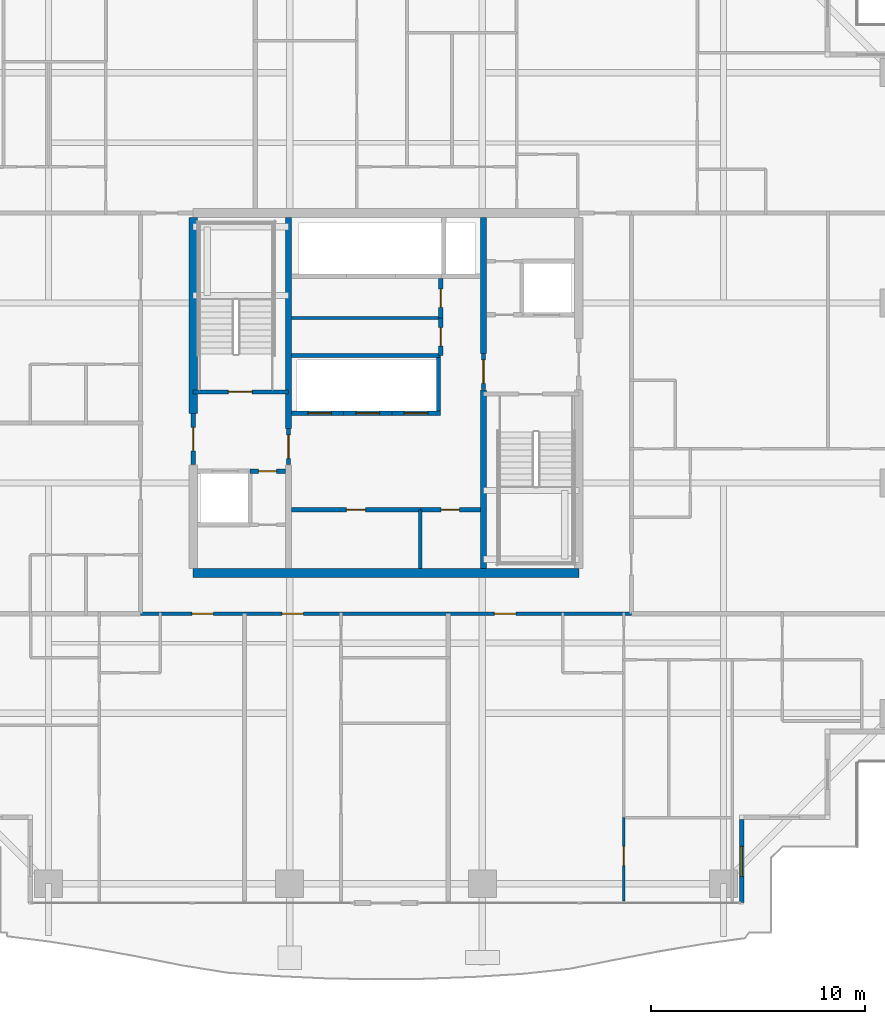
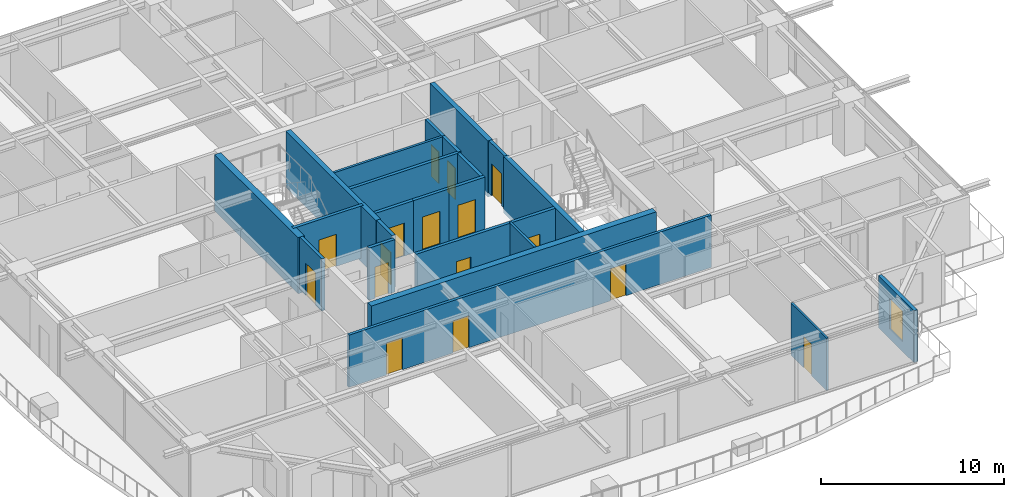
# One storey, part 25 of 35: 24 walls, 16 doors, 1 window, 17 openings.
"""IFC4 building model written with IfcOpenShell, lengths in metres."""

from ifc_helpers import new_model, si_unit, direction, frame, frame_2d, origin, place, context, subcontext, project, spatial, rectangle, extrude, source, transform, mapped, material, layer, layer_set, type_object, element, fill, save


model = new_model("IFC4")

# Units and contexts
model_context = context("Model", 3, precision=1e-05, world=origin(), true_north=direction((0.0, 1.0)))
body_context = subcontext(model_context, "Body", "Model", "MODEL_VIEW")
ifc_project = project(units=[si_unit("LENGTHUNIT", "METRE"), si_unit("AREAUNIT", "SQUARE_METRE"), si_unit("VOLUMEUNIT", "CUBIC_METRE"), si_unit("PLANEANGLEUNIT", "RADIAN"), si_unit("MASSUNIT", "GRAM", prefix="KILO")], contexts=[model_context])

# Site, building, storey
site_placement = place(None, origin())
site = spatial("IfcSite", under=ifc_project, at=site_placement, CompositionType="ELEMENT")
building_placement = place(site_placement, origin())
building = spatial("IfcBuilding", under=site, at=building_placement, Name="Serunith Strait Residences", CompositionType="ELEMENT")
storey_placement = place(building_placement, frame((0.0, 0.0, 172.64990234375)))
storey = spatial("IfcBuildingStorey", under=building, at=storey_placement, Name="L43", CompositionType="ELEMENT", Elevation=172.64990234375)

# Wall, opening, window
ifc_material_1 = material(Name="Pale-Champagne Aluminium Insulated Panel", Category="aluminium")
ifc_layer_1 = layer(ifc_material_1, 0.219970703125, Name="Pale-Champagne Aluminium Insulated Panel")
ifc_layer_set_1 = layer_set([ifc_layer_1], Name="Pale-Champagne Aluminium Insulated Panel")
wall_type_1 = type_object("IfcWallType", Name="EW-ALUM-220", PredefinedType="ELEMENTEDWALL", material=ifc_layer_set_1)
wall_1_placement = place(storey_placement, frame((49.0, 1.39990234375, 0.0), z_axis=(0.0, 0.0, 1.0), x_axis=(0.0, 1.0, 0.0)))
wall_1 = element("IfcWall", 1, at=wall_1_placement, inside=storey, type_object=wall_type_1, Name="L43 Girih Serrated Corner Wall 02", PredefinedType="ELEMENTEDWALL", context=body_context, shape_type="SweptSolid", body=[
    extrude(rectangle(XDim=3.89013671875, YDim=0.219970703125, at=frame_2d((1.945068359375, 0.0))), origin(), (0.0, 0.0, 1.0), 3.47509765625),
])
opening_1_placement = place(wall_1_placement, frame((1.2451171875, 0.0, 0.64990234375)))
opening_1 = element("IfcOpeningElement", 2, at=opening_1_placement, cuts=wall_1, Name="Opening W-03", PredefinedType="OPENING", context=body_context, shape_type="SweptSolid", body=[
    extrude(rectangle(XDim=1.39990234375, YDim=2.050048828125, at=frame_2d((0.699951171875, 1.02490234375))), frame((0.0, 0.1201171875, 0.0), z_axis=(0.0, -1.0, 0.0), x_axis=(1.0, 0.0, 0.0)), (0.0, 0.0, 1.0), 0.239990234375),
])
ifc_material_2 = material(Name="Ceramic-Fritted Operable Aluminium Window Glass", Category="aluminium")
window_type = type_object("IfcWindowType", Name="WIN-C3", PartitioningType="SINGLE_PANEL", PredefinedType="WINDOW", material=ifc_material_2)
shared_shape_1 = source(origin(), body_context, "Body", "SweptSolid", [
    extrude(rectangle(XDim=1.39990234375, YDim=2.050048828125, at=frame_2d((0.699951171875, 1.02490234375))), frame((0.0, 0.030029296875, 0.0), z_axis=(0.0, -1.0, 0.0), x_axis=(1.0, 0.0, 0.0)), (0.0, 0.0, 1.0), 0.06005859375),
])
window_placement = place(opening_1_placement, origin())
window = element("IfcWindow", 3, at=window_placement, inside=storey, type_object=window_type, Name="L43 Corner Operable Fritted Window 02", OverallHeight=2.050048828125, OverallWidth=1.39990234375, PartitioningType="SINGLE_PANEL", PredefinedType="WINDOW", context=body_context, shape_type="MappedRepresentation", body=[
    mapped(shared_shape_1, transform((0.0, 0.0, 0.0), scale=1.0)),
])
fill(opening_1, window)

# Walls
ifc_material_3 = material(Name="Fire-rated masonry service closet wall", Category="masonry")
ifc_layer_2 = layer(ifc_material_3, 0.14990234375, Name="Fire-rated masonry service closet wall")
ifc_layer_set_2 = layer_set([ifc_layer_2], Name="Fire-rated masonry service closet wall")
wall_type_2 = type_object("IfcWallType", Name="IW-BOH-150", PredefinedType="PARTITIONING", material=ifc_layer_set_2)
wall_2_placement = place(storey_placement, frame((28.0, 28.699951171875, 0.0), z_axis=(0.0, 0.0, 1.0), x_axis=(1.0, 0.0, 0.0)))
element("IfcWall", 4, at=wall_2_placement, inside=storey, type_object=wall_type_2, Name="L43 Partition Wall 016", PredefinedType="PARTITIONING", context=body_context, shape_type="SweptSolid", body=[
    extrude(rectangle(XDim=6.949951171875, YDim=0.14990234375, at=frame_2d((3.47509765625, 0.0))), origin(), (0.0, 0.0, 1.0), 3.489990234375),
])
wall_3_placement = place(storey_placement, frame((34.0, 17.02001953125, 0.0), z_axis=(0.0, 0.0, 1.0), x_axis=(0.0, 1.0, 0.0)))
element("IfcWall", 5, at=wall_3_placement, inside=storey, type_object=wall_type_2, Name="L43 Partition Wall 019", PredefinedType="PARTITIONING", context=body_context, shape_type="SweptSolid", body=[
    extrude(rectangle(XDim=2.72998046875, YDim=0.14990234375, at=frame_2d((1.364990234375, 0.0))), origin(), (0.0, 0.0, 1.0), 3.489990234375),
])

# Wall, openings, doors
ifc_material_4 = material(Name="Fire-rated acoustic gypsum partition")
ifc_layer_3 = layer(ifc_material_4, 0.179931640625, Name="Fire-rated acoustic gypsum partition")
ifc_layer_set_3 = layer_set([ifc_layer_3], Name="Fire-rated acoustic gypsum partition")
wall_type_3 = type_object("IfcWallType", Name="IW-CORR-180", PredefinedType="PARTITIONING", material=ifc_layer_set_3)
wall_4_placement = place(storey_placement, frame((20.951904296875, 14.89990234375, 0.0), z_axis=(0.0, 0.0, 1.0), x_axis=(1.0, 0.0, 0.0)))
wall_4 = element("IfcWall", 6, at=wall_4_placement, inside=storey, type_object=wall_type_3, Name="L43 Partition Wall 028", PredefinedType="PARTITIONING", context=body_context, shape_type="SweptSolid", body=[
    extrude(rectangle(XDim=22.89599609375, YDim=0.179931640625, at=frame_2d((11.447998046875, 0.0))), origin(), (0.0, 0.0, 1.0), 3.489990234375),
])
opening_2_placement = place(wall_4_placement, frame((2.386962890625, 0.0, 0.0)))
opening_2 = element("IfcOpeningElement", 7, at=opening_2_placement, cuts=wall_4, Name="Opening D-APT1000", PredefinedType="OPENING", context=body_context, shape_type="SweptSolid", body=[
    extrude(rectangle(XDim=1.0, YDim=2.14990234375, at=frame_2d((0.5, 1.074951171875))), frame((0.0, 0.10009765625, 0.0), z_axis=(0.0, -1.0, 0.0), x_axis=(1.0, 0.0, 0.0)), (0.0, 0.0, 1.0), 0.199951171875),
])
opening_3_placement = place(wall_4_placement, frame((6.591064453125, 0.0, 0.0)))
opening_3 = element("IfcOpeningElement", 8, at=opening_3_placement, cuts=wall_4, Name="Opening D-APT1000", PredefinedType="OPENING", context=body_context, shape_type="SweptSolid", body=[
    extrude(rectangle(XDim=1.0, YDim=2.14990234375, at=frame_2d((0.5, 1.074951171875))), frame((0.0, 0.10009765625, 0.0), z_axis=(0.0, -1.0, 0.0), x_axis=(1.0, 0.0, 0.0)), (0.0, 0.0, 1.0), 0.199951171875),
])
opening_4_placement = place(wall_4_placement, frame((16.510009765625, 0.0, 0.0)))
opening_4 = element("IfcOpeningElement", 9, at=opening_4_placement, cuts=wall_4, Name="Opening D-APT1000", PredefinedType="OPENING", context=body_context, shape_type="SweptSolid", body=[
    extrude(rectangle(XDim=1.0, YDim=2.14990234375, at=frame_2d((0.5, 1.074951171875))), frame((0.0, 0.10009765625, 0.0), z_axis=(0.0, -1.0, 0.0), x_axis=(1.0, 0.0, 0.0)), (0.0, 0.0, 1.0), 0.199951171875),
])
ifc_material_5 = material(Name="Solid timber engineered fire door", Category="wood")
door_type_1 = type_object("IfcDoorType", Name="ID-APT-1000", OperationType="NOTDEFINED", PredefinedType="DOOR", material=ifc_material_5)
shared_shape_2 = source(origin(), body_context, "Body", "SweptSolid", [
    extrude(rectangle(XDim=1.0, YDim=2.14990234375, at=frame_2d((0.5, 1.074951171875))), frame((0.0, 0.02490234375, 0.0), z_axis=(0.0, -1.0, 0.0), x_axis=(1.0, 0.0, 0.0)), (0.0, 0.0, 1.0), 0.050048828125),
])
door_1_placement = place(opening_2_placement, origin())
door_1 = element("IfcDoor", 10, at=door_1_placement, inside=storey, type_object=door_type_1, Name="L43 Unit 01 Entrance Door", OperationType="SINGLE_SWING_LEFT", OverallHeight=2.14990234375, OverallWidth=1.0, PredefinedType="DOOR", context=body_context, shape_type="MappedRepresentation", body=[
    mapped(shared_shape_2, transform((0.0, 0.0, 0.0), scale=1.0)),
])
fill(opening_2, door_1)
door_2_placement = place(opening_3_placement, origin())
door_2 = element("IfcDoor", 11, at=door_2_placement, inside=storey, type_object=door_type_1, Name="L43 Unit 02 Entrance Door", OperationType="SINGLE_SWING_RIGHT", OverallHeight=2.14990234375, OverallWidth=1.0, PredefinedType="DOOR", context=body_context, shape_type="MappedRepresentation", body=[
    mapped(shared_shape_2, transform((0.0, 0.0, 0.0), scale=1.0)),
])
fill(opening_3, door_2)
door_3_placement = place(opening_4_placement, origin())
door_3 = element("IfcDoor", 12, at=door_3_placement, inside=storey, type_object=door_type_1, Name="L43 Unit 03 Entrance Door", OperationType="SINGLE_SWING_LEFT", OverallHeight=2.14990234375, OverallWidth=1.0, PredefinedType="DOOR", context=body_context, shape_type="MappedRepresentation", body=[
    mapped(shared_shape_2, transform((0.0, 0.0, 0.0), scale=1.0)),
])
fill(opening_4, door_3)

# Wall, opening, door
ifc_material_6 = material(Name="Lightweight steel-stud gypsum partition", Category="steel")
ifc_layer_4 = layer(ifc_material_6, 0.1201171875, Name="Lightweight steel-stud gypsum partition")
ifc_layer_set_4 = layer_set([ifc_layer_4], Name="Lightweight steel-stud gypsum partition")
wall_type_4 = type_object("IfcWallType", Name="IW-PART-120", PredefinedType="PARTITIONING", material=ifc_layer_set_4)
wall_5_placement = place(storey_placement, frame((43.489990234375, 1.4951171875, 0.0), z_axis=(0.0, 0.0, 1.0), x_axis=(0.0, 1.0, 0.0)))
wall_5 = element("IfcWall", 13, at=wall_5_placement, inside=storey, type_object=wall_type_4, Name="L43 Partition Wall 049", PredefinedType="PARTITIONING", context=body_context, shape_type="SweptSolid", body=[
    extrude(rectangle(XDim=3.890869140625, YDim=0.1201171875, at=frame_2d((1.9453125, 0.0))), origin(), (0.0, 0.0, 1.0), 3.489990234375),
])
opening_5_placement = place(wall_5_placement, frame((1.64501953125, 0.0, 0.0)))
opening_5 = element("IfcOpeningElement", 14, at=opening_5_placement, cuts=wall_5, Name="Opening D-RM900", PredefinedType="OPENING", context=body_context, shape_type="SweptSolid", body=[
    extrude(rectangle(XDim=0.89990234375, YDim=2.10009765625, at=frame_2d((0.449951171875, 1.050048828125))), frame((0.0, 0.070068359375, 0.0), z_axis=(0.0, -1.0, 0.0), x_axis=(1.0, 0.0, 0.0)), (0.0, 0.0, 1.0), 0.14013671875),
])
ifc_material_7 = material(Name="Engineered timber flush bedroom door", Category="wood")
door_type_2 = type_object("IfcDoorType", Name="ID-ROOM-900", OperationType="NOTDEFINED", PredefinedType="DOOR", material=ifc_material_7)
shared_shape_3 = source(origin(), body_context, "Body", "SweptSolid", [
    extrude(rectangle(XDim=0.89990234375, YDim=2.10009765625, at=frame_2d((0.449951171875, 1.050048828125))), frame((0.0, 0.02490234375, 0.0), z_axis=(0.0, -1.0, 0.0), x_axis=(1.0, 0.0, 0.0)), (0.0, 0.0, 1.0), 0.050048828125),
])
door_4_placement = place(opening_5_placement, origin())
door_4 = element("IfcDoor", 15, at=door_4_placement, inside=storey, type_object=door_type_2, Name="L43 Study 1 4303 Door", OperationType="SINGLE_SWING_RIGHT", OverallHeight=2.10009765625, OverallWidth=0.89990234375, PredefinedType="DOOR", context=body_context, shape_type="MappedRepresentation", body=[
    mapped(shared_shape_3, transform((0.0, 0.0, 0.0), scale=1.0)),
])
fill(opening_5, door_4)

ifc_material_8 = material(Name="Autoclaved aerated concrete blockwork", Category="masonry")
ifc_layer_5 = layer(ifc_material_8, 0.199951171875, Name="Autoclaved aerated concrete blockwork")
ifc_layer_set_5 = layer_set([ifc_layer_5], Name="Autoclaved aerated concrete blockwork")
wall_type_5 = type_object("IfcWallType", Name="IW-SHAFT-200", PredefinedType="STANDARD", material=ifc_layer_set_5)
wall_6_placement = place(storey_placement, frame((23.39990234375, 25.25, 0.0), z_axis=(0.0, 0.0, 1.0), x_axis=(1.0, 0.0, 0.0)))
wall_6 = element("IfcWall", 16, at=wall_6_placement, inside=storey, type_object=wall_type_5, Name="L43 ST-1 South Shaft Wall", PredefinedType="STANDARD", context=body_context, shape_type="SweptSolid", body=[
    extrude(rectangle(XDim=4.4501953125, YDim=0.199951171875, at=frame_2d((2.22509765625, 0.0))), origin(), (0.0, 0.0, 1.0), 3.489990234375),
])
opening_6_placement = place(wall_6_placement, frame((1.64990234375, 0.0, 0.0)))
opening_6 = element("IfcOpeningElement", 17, at=opening_6_placement, cuts=wall_6, Name="Opening FD-1100", PredefinedType="OPENING", context=body_context, shape_type="SweptSolid", body=[
    extrude(rectangle(XDim=1.10009765625, YDim=2.14990234375, at=frame_2d((0.550048828125, 1.074951171875))), frame((0.0, 0.10986328125, 0.0), z_axis=(0.0, -1.0, 0.0), x_axis=(1.0, 0.0, 0.0)), (0.0, 0.0, 1.0), 0.219970703125),
])
ifc_material_9 = material(Name="Galvanised steel fire door leaf", Category="steel")
door_type_3 = type_object("IfcDoorType", Name="FD-STAIR-1100", OperationType="NOTDEFINED", PredefinedType="DOOR", material=ifc_material_9)
shared_shape_4 = source(origin(), body_context, "Body", "SweptSolid", [
    extrude(rectangle(XDim=1.10009765625, YDim=2.14990234375, at=frame_2d((0.550048828125, 1.074951171875))), frame((0.0, 0.02490234375, 0.0), z_axis=(0.0, -1.0, 0.0), x_axis=(1.0, 0.0, 0.0)), (0.0, 0.0, 1.0), 0.050048828125),
])
door_5_placement = place(opening_6_placement, origin())
door_5 = element("IfcDoor", 18, at=door_5_placement, inside=storey, type_object=door_type_3, Name="L43 ST-1 Escape Stair Door", OperationType="SINGLE_SWING_LEFT", OverallHeight=2.14990234375, OverallWidth=1.10009765625, PredefinedType="DOOR", context=body_context, shape_type="MappedRepresentation", body=[
    mapped(shared_shape_4, transform((0.0, 0.0, 0.0), scale=1.0)),
])
fill(opening_6, door_5)

wall_7_placement = place(storey_placement, frame((28.0, 24.25, 0.0), z_axis=(0.0, 0.0, 1.0), x_axis=(1.0, 0.0, 0.0)))
wall_7 = element("IfcWall", 19, at=wall_7_placement, inside=storey, type_object=wall_type_5, Name="L43 PL-4 South Shaft Wall", PredefinedType="STANDARD", context=body_context, shape_type="SweptSolid", body=[
    extrude(rectangle(XDim=2.425048828125, YDim=0.199951171875, at=frame_2d((1.21240234375, 0.0))), origin(), (0.0, 0.0, 1.0), 3.489990234375),
])
opening_7_placement = place(wall_7_placement, frame((0.75, 0.0, 0.0)))
opening_7 = element("IfcOpeningElement", 20, at=opening_7_placement, cuts=wall_7, Name="Opening LD-1100", PredefinedType="OPENING", context=body_context, shape_type="SweptSolid", body=[
    extrude(rectangle(XDim=1.10009765625, YDim=2.199951171875, at=frame_2d((0.550048828125, 1.10009765625))), frame((0.0, 0.10986328125, 0.0), z_axis=(0.0, -1.0, 0.0), x_axis=(1.0, 0.0, 0.0)), (0.0, 0.0, 1.0), 0.219970703125),
])
ifc_material_10 = material(Name="Pale-champagne stainless landing door")
door_type_4 = type_object("IfcDoorType", Name="LD-LIFT-1100", OperationType="DOUBLE_DOOR_SLIDING", PredefinedType="DOOR", material=ifc_material_10)
shared_shape_5 = source(origin(), body_context, "Body", "SweptSolid", [
    extrude(rectangle(XDim=1.10009765625, YDim=2.199951171875, at=frame_2d((0.550048828125, 1.10009765625))), frame((0.0, 0.02490234375, 0.0), z_axis=(0.0, -1.0, 0.0), x_axis=(1.0, 0.0, 0.0)), (0.0, 0.0, 1.0), 0.050048828125),
])
door_6_placement = place(opening_7_placement, origin())
door_6 = element("IfcDoor", 21, at=door_6_placement, inside=storey, type_object=door_type_4, Name="L43 PL-4 Landing Door", OperationType="DOUBLE_DOOR_SLIDING", OverallHeight=2.199951171875, OverallWidth=1.10009765625, PredefinedType="DOOR", context=body_context, shape_type="MappedRepresentation", body=[
    mapped(shared_shape_5, transform((0.0, 0.0, 0.0), scale=1.0)),
])
fill(opening_7, door_6)

wall_8_placement = place(storey_placement, frame((30.425048828125, 24.25, 0.0), z_axis=(0.0, 0.0, 1.0), x_axis=(1.0, 0.0, 0.0)))
wall_8 = element("IfcWall", 22, at=wall_8_placement, inside=storey, type_object=wall_type_5, Name="L43 PL-5 South Shaft Wall", PredefinedType="STANDARD", context=body_context, shape_type="SweptSolid", body=[
    extrude(rectangle(XDim=2.25, YDim=0.199951171875, at=frame_2d((1.125, 0.0))), origin(), (0.0, 0.0, 1.0), 3.489990234375),
])
opening_8_placement = place(wall_8_placement, frame((0.574951171875, 0.0, 0.0)))
opening_8 = element("IfcOpeningElement", 23, at=opening_8_placement, cuts=wall_8, Name="Opening LD-1100", PredefinedType="OPENING", context=body_context, shape_type="SweptSolid", body=[
    extrude(rectangle(XDim=1.10009765625, YDim=2.199951171875, at=frame_2d((0.550048828125, 1.10009765625))), frame((0.0, 0.10986328125, 0.0), z_axis=(0.0, -1.0, 0.0), x_axis=(1.0, 0.0, 0.0)), (0.0, 0.0, 1.0), 0.219970703125),
])
door_7_placement = place(opening_8_placement, origin())
door_7 = element("IfcDoor", 24, at=door_7_placement, inside=storey, type_object=door_type_4, Name="L43 PL-5 Landing Door", OperationType="DOUBLE_DOOR_SLIDING", OverallHeight=2.199951171875, OverallWidth=1.10009765625, PredefinedType="DOOR", context=body_context, shape_type="MappedRepresentation", body=[
    mapped(shared_shape_5, transform((0.0, 0.0, 0.0), scale=1.0)),
])
fill(opening_8, door_7)

wall_9_placement = place(storey_placement, frame((32.675048828125, 24.25, 0.0), z_axis=(0.0, 0.0, 1.0), x_axis=(1.0, 0.0, 0.0)))
wall_9 = element("IfcWall", 25, at=wall_9_placement, inside=storey, type_object=wall_type_5, Name="L43 PL-6 South Shaft Wall", PredefinedType="STANDARD", context=body_context, shape_type="SweptSolid", body=[
    extrude(rectangle(XDim=2.27490234375, YDim=0.199951171875, at=frame_2d((1.137451171875, 0.0))), origin(), (0.0, 0.0, 1.0), 3.489990234375),
])
opening_9_placement = place(wall_9_placement, frame((0.574951171875, 0.0, 0.0)))
opening_9 = element("IfcOpeningElement", 26, at=opening_9_placement, cuts=wall_9, Name="Opening LD-1100", PredefinedType="OPENING", context=body_context, shape_type="SweptSolid", body=[
    extrude(rectangle(XDim=1.10009765625, YDim=2.199951171875, at=frame_2d((0.550048828125, 1.10009765625))), frame((0.0, 0.10986328125, 0.0), z_axis=(0.0, -1.0, 0.0), x_axis=(1.0, 0.0, 0.0)), (0.0, 0.0, 1.0), 0.219970703125),
])
door_8_placement = place(opening_9_placement, origin())
door_8 = element("IfcDoor", 27, at=door_8_placement, inside=storey, type_object=door_type_4, Name="L43 PL-6 Landing Door", OperationType="DOUBLE_DOOR_SLIDING", OverallHeight=2.199951171875, OverallWidth=1.10009765625, PredefinedType="DOOR", context=body_context, shape_type="MappedRepresentation", body=[
    mapped(shared_shape_5, transform((0.0, 0.0, 0.0), scale=1.0)),
])
fill(opening_9, door_8)

# Wall
wall_10_placement = place(storey_placement, frame((34.85009765625, 24.35009765625, 0.0), z_axis=(0.0, 0.0, 1.0), x_axis=(0.0, 1.0, 0.0)))
element("IfcWall", 28, at=wall_10_placement, inside=storey, type_object=wall_type_5, Name="L43 PL-6 East Shaft Wall", PredefinedType="STANDARD", context=body_context, shape_type="SweptSolid", body=[
    extrude(rectangle(XDim=2.5, YDim=0.199951171875, at=frame_2d((1.25, 0.0))), origin(), (0.0, 0.0, 1.0), 3.489990234375),
])

# Wall, opening, door
wall_11_placement = place(storey_placement, frame((26.052001953125, 21.550048828125, 0.0), z_axis=(0.0, 0.0, 1.0), x_axis=(1.0, 0.0, 0.0)))
wall_11 = element("IfcWall", 29, at=wall_11_placement, inside=storey, type_object=wall_type_5, Name="L43 Partition Wall 003", PredefinedType="STANDARD", context=body_context, shape_type="SweptSolid", body=[
    extrude(rectangle(XDim=1.64794921875, YDim=0.199951171875, at=frame_2d((0.823974609375, 0.0))), origin(), (0.0, 0.0, 1.0), 3.489990234375),
])
opening_10_placement = place(wall_11_placement, frame((0.39892578125, 0.0, 0.0)))
opening_10 = element("IfcOpeningElement", 30, at=opening_10_placement, cuts=wall_11, Name="Opening FD-850", PredefinedType="OPENING", context=body_context, shape_type="SweptSolid", body=[
    extrude(rectangle(XDim=0.85009765625, YDim=2.10009765625, at=frame_2d((0.425048828125, 1.050048828125))), frame((0.0, 0.10986328125, 0.0), z_axis=(0.0, -1.0, 0.0), x_axis=(1.0, 0.0, 0.0)), (0.0, 0.0, 1.0), 0.219970703125),
])
ifc_material_11 = material(Name="Powder-coated steel service closet door", Category="steel")
door_type_5 = type_object("IfcDoorType", Name="FD-BOH-850", OperationType="NOTDEFINED", PredefinedType="DOOR", material=ifc_material_11)
shared_shape_6 = source(origin(), body_context, "Body", "SweptSolid", [
    extrude(rectangle(XDim=0.85009765625, YDim=2.10009765625, at=frame_2d((0.425048828125, 1.050048828125))), frame((0.0, 0.02490234375, 0.0), z_axis=(0.0, -1.0, 0.0), x_axis=(1.0, 0.0, 0.0)), (0.0, 0.0, 1.0), 0.050048828125),
])
door_9_placement = place(opening_10_placement, origin())
door_9 = element("IfcDoor", 31, at=door_9_placement, inside=storey, type_object=door_type_5, Name="L43 South-West Core Service Door", OperationType="SINGLE_SWING_LEFT", OverallHeight=2.10009765625, OverallWidth=0.85009765625, PredefinedType="DOOR", context=body_context, shape_type="MappedRepresentation", body=[
    mapped(shared_shape_6, transform((0.0, 0.0, 0.0), scale=1.0)),
])
fill(opening_10, door_9)

wall_12_placement = place(storey_placement, frame((23.39990234375, 21.85205078125, 0.0), z_axis=(0.0, 0.0, 1.0), x_axis=(0.0, 1.0, 0.0)))
wall_12 = element("IfcWall", 32, at=wall_12_placement, inside=storey, type_object=wall_type_5, Name="L43 Partition Wall 007", PredefinedType="STANDARD", context=body_context, shape_type="SweptSolid", body=[
    extrude(rectangle(XDim=2.39599609375, YDim=0.199951171875, at=frame_2d((1.197998046875, 0.0))), origin(), (0.0, 0.0, 1.0), 3.489990234375),
])
opening_11_placement = place(wall_12_placement, frame((0.64794921875, 0.0, 0.0)))
opening_11 = element("IfcOpeningElement", 33, at=opening_11_placement, cuts=wall_12, Name="Opening FD-FFL", PredefinedType="OPENING", context=body_context, shape_type="SweptSolid", body=[
    extrude(rectangle(XDim=1.10009765625, YDim=2.14990234375, at=frame_2d((0.550048828125, 1.074951171875))), frame((0.0, 0.10986328125, 0.0), z_axis=(0.0, -1.0, 0.0), x_axis=(1.0, 0.0, 0.0)), (0.0, 0.0, 1.0), 0.219970703125),
])
ifc_material_12 = material(Name="Glazed steel smoke-lobby fire door", Category="steel")
door_type_6 = type_object("IfcDoorType", Name="FD-FFL-1100", OperationType="NOTDEFINED", PredefinedType="DOOR", material=ifc_material_12)
door_10_placement = place(opening_11_placement, origin())
door_10 = element("IfcDoor", 34, at=door_10_placement, inside=storey, type_object=door_type_6, Name="L43 FFL-1 Corridor Fire Door", OperationType="SINGLE_SWING_LEFT", OverallHeight=2.14990234375, OverallWidth=1.10009765625, PredefinedType="DOOR", context=body_context, shape_type="MappedRepresentation", body=[
    mapped(shared_shape_4, transform((0.0, 0.0, 0.0), scale=1.0)),
])
fill(opening_11, door_10)

wall_13_placement = place(storey_placement, frame((27.85009765625, 21.85205078125, 0.0), z_axis=(0.0, 0.0, 1.0), x_axis=(0.0, 1.0, 0.0)))
wall_13 = element("IfcWall", 35, at=wall_13_placement, inside=storey, type_object=wall_type_5, Name="L43 Partition Wall 009", PredefinedType="STANDARD", context=body_context, shape_type="SweptSolid", body=[
    extrude(rectangle(XDim=1.696044921875, YDim=0.199951171875, at=frame_2d((0.84814453125, 0.0))), origin(), (0.0, 0.0, 1.0), 3.489990234375),
])
opening_12_placement = place(wall_13_placement, frame((0.298095703125, 0.0, 0.0)))
opening_12 = element("IfcOpeningElement", 36, at=opening_12_placement, cuts=wall_13, Name="Opening FD-FFL", PredefinedType="OPENING", context=body_context, shape_type="SweptSolid", body=[
    extrude(rectangle(XDim=1.10009765625, YDim=2.14990234375, at=frame_2d((0.550048828125, 1.074951171875))), frame((0.0, 0.10986328125, 0.0), z_axis=(0.0, -1.0, 0.0), x_axis=(1.0, 0.0, 0.0)), (0.0, 0.0, 1.0), 0.219970703125),
])
door_11_placement = place(opening_12_placement, origin())
door_11 = element("IfcDoor", 37, at=door_11_placement, inside=storey, type_object=door_type_6, Name="L43 FFL-1 Lift Lobby Door", OperationType="SINGLE_SWING_LEFT", OverallHeight=2.14990234375, OverallWidth=1.10009765625, PredefinedType="DOOR", context=body_context, shape_type="MappedRepresentation", body=[
    mapped(shared_shape_4, transform((0.0, 0.0, 0.0), scale=1.0)),
])
fill(opening_12, door_11)

wall_14_placement = place(storey_placement, frame((36.949951171875, 25.35205078125, 0.0), z_axis=(0.0, 0.0, 1.0), x_axis=(0.0, 1.0, 0.0)))
wall_14 = element("IfcWall", 38, at=wall_14_placement, inside=storey, type_object=wall_type_5, Name="L43 Partition Wall 010", PredefinedType="STANDARD", context=body_context, shape_type="SweptSolid", body=[
    extrude(rectangle(XDim=1.696044921875, YDim=0.199951171875, at=frame_2d((0.84814453125, 0.0))), origin(), (0.0, 0.0, 1.0), 3.489990234375),
])
opening_13_placement = place(wall_14_placement, frame((0.298095703125, 0.0, 0.0)))
opening_13 = element("IfcOpeningElement", 39, at=opening_13_placement, cuts=wall_14, Name="Opening FD-FFL", PredefinedType="OPENING", context=body_context, shape_type="SweptSolid", body=[
    extrude(rectangle(XDim=1.10009765625, YDim=2.14990234375, at=frame_2d((0.550048828125, 1.074951171875))), frame((0.0, 0.10986328125, 0.0), z_axis=(0.0, -1.0, 0.0), x_axis=(1.0, 0.0, 0.0)), (0.0, 0.0, 1.0), 0.219970703125),
])
door_12_placement = place(opening_13_placement, origin())
door_12 = element("IfcDoor", 40, at=door_12_placement, inside=storey, type_object=door_type_6, Name="L43 FFL-2 Lift Lobby Door", OperationType="SINGLE_SWING_RIGHT", OverallHeight=2.14990234375, OverallWidth=1.10009765625, PredefinedType="DOOR", context=body_context, shape_type="MappedRepresentation", body=[
    mapped(shared_shape_4, transform((0.0, 0.0, 0.0), scale=1.0)),
])
fill(opening_13, door_12)

# Wall
wall_15_placement = place(storey_placement, frame((28.0, 26.949951171875, 0.0), z_axis=(0.0, 0.0, 1.0), x_axis=(1.0, 0.0, 0.0)))
element("IfcWall", 41, at=wall_15_placement, inside=storey, type_object=wall_type_5, Name="L43 Partition Wall 011", PredefinedType="STANDARD", context=body_context, shape_type="SweptSolid", body=[
    extrude(rectangle(XDim=6.949951171875, YDim=0.199951171875, at=frame_2d((3.47509765625, 0.0))), origin(), (0.0, 0.0, 1.0), 3.489990234375),
])

# Wall, opening, door
wall_16_placement = place(storey_placement, frame((34.949951171875, 26.949951171875, 0.0), z_axis=(0.0, 0.0, 1.0), x_axis=(0.0, 1.0, 0.0)))
wall_16 = element("IfcWall", 42, at=wall_16_placement, inside=storey, type_object=wall_type_5, Name="L43 Partition Wall 014", PredefinedType="STANDARD", context=body_context, shape_type="SweptSolid", body=[
    extrude(rectangle(XDim=1.75, YDim=0.199951171875, at=frame_2d((0.875, 0.0))), origin(), (0.0, 0.0, 1.0), 3.489990234375),
])
opening_14_placement = place(wall_16_placement, frame((0.449951171875, 0.0, 0.0)))
opening_14 = element("IfcOpeningElement", 43, at=opening_14_placement, cuts=wall_16, Name="Opening FD-850", PredefinedType="OPENING", context=body_context, shape_type="SweptSolid", body=[
    extrude(rectangle(XDim=0.85009765625, YDim=2.10009765625, at=frame_2d((0.425048828125, 1.050048828125))), frame((0.0, 0.10986328125, 0.0), z_axis=(0.0, -1.0, 0.0), x_axis=(1.0, 0.0, 0.0)), (0.0, 0.0, 1.0), 0.219970703125),
])
door_13_placement = place(opening_14_placement, origin())
door_13 = element("IfcDoor", 44, at=door_13_placement, inside=storey, type_object=door_type_5, Name="L43 Chilled Water Pump Door", OperationType="SINGLE_SWING_LEFT", OverallHeight=2.10009765625, OverallWidth=0.85009765625, PredefinedType="DOOR", context=body_context, shape_type="MappedRepresentation", body=[
    mapped(shared_shape_6, transform((0.0, 0.0, 0.0), scale=1.0)),
])
fill(opening_14, door_13)

wall_17_placement = place(storey_placement, frame((34.949951171875, 28.701904296875, 0.0), z_axis=(0.0, 0.0, 1.0), x_axis=(0.0, 1.0, 0.0)))
wall_17 = element("IfcWall", 45, at=wall_17_placement, inside=storey, type_object=wall_type_5, Name="L43 Partition Wall 015", PredefinedType="STANDARD", context=body_context, shape_type="SweptSolid", body=[
    extrude(rectangle(XDim=1.84814453125, YDim=0.199951171875, at=frame_2d((0.924072265625, 0.0))), origin(), (0.0, 0.0, 1.0), 3.489990234375),
])
opening_15_placement = place(wall_17_placement, frame((0.4990234375, 0.0, 0.0)))
opening_15 = element("IfcOpeningElement", 46, at=opening_15_placement, cuts=wall_17, Name="Opening FD-850", PredefinedType="OPENING", context=body_context, shape_type="SweptSolid", body=[
    extrude(rectangle(XDim=0.85009765625, YDim=2.10009765625, at=frame_2d((0.425048828125, 1.050048828125))), frame((0.0, 0.10986328125, 0.0), z_axis=(0.0, -1.0, 0.0), x_axis=(1.0, 0.0, 0.0)), (0.0, 0.0, 1.0), 0.219970703125),
])
door_14_placement = place(opening_15_placement, origin())
door_14 = element("IfcDoor", 47, at=door_14_placement, inside=storey, type_object=door_type_5, Name="L43 Smoke Control Fan Door", OperationType="SINGLE_SWING_RIGHT", OverallHeight=2.10009765625, OverallWidth=0.85009765625, PredefinedType="DOOR", context=body_context, shape_type="MappedRepresentation", body=[
    mapped(shared_shape_6, transform((0.0, 0.0, 0.0), scale=1.0)),
])
fill(opening_15, door_14)

wall_18_placement = place(storey_placement, frame((28.0, 19.75, 0.0), z_axis=(0.0, 0.0, 1.0), x_axis=(1.0, 0.0, 0.0)))
wall_18 = element("IfcWall", 48, at=wall_18_placement, inside=storey, type_object=wall_type_5, Name="L43 Partition Wall 017", PredefinedType="STANDARD", context=body_context, shape_type="SweptSolid", body=[
    extrude(rectangle(XDim=6.0, YDim=0.199951171875, at=frame_2d((3.0, 0.0))), origin(), (0.0, 0.0, 1.0), 3.489990234375),
])
opening_16_placement = place(wall_18_placement, frame((2.550048828125, 0.0, 0.0)))
opening_16 = element("IfcOpeningElement", 49, at=opening_16_placement, cuts=wall_18, Name="Opening FD-900", PredefinedType="OPENING", context=body_context, shape_type="SweptSolid", body=[
    extrude(rectangle(XDim=0.89990234375, YDim=2.10009765625, at=frame_2d((0.449951171875, 1.050048828125))), frame((0.0, 0.10986328125, 0.0), z_axis=(0.0, -1.0, 0.0), x_axis=(1.0, 0.0, 0.0)), (0.0, 0.0, 1.0), 0.219970703125),
])
ifc_material_13 = material(Name="Powder-coated steel riser door", Category="steel")
door_type_7 = type_object("IfcDoorType", Name="FD-BOH-900", OperationType="NOTDEFINED", PredefinedType="DOOR", material=ifc_material_13)
door_15_placement = place(opening_16_placement, origin())
door_15 = element("IfcDoor", 50, at=door_15_placement, inside=storey, type_object=door_type_7, Name="L43 Telecoms Comms Door", OperationType="SINGLE_SWING_LEFT", OverallHeight=2.10009765625, OverallWidth=0.89990234375, PredefinedType="DOOR", context=body_context, shape_type="MappedRepresentation", body=[
    mapped(shared_shape_3, transform((0.0, 0.0, 0.0), scale=1.0)),
])
fill(opening_16, door_15)

wall_19_placement = place(storey_placement, frame((34.001953125, 19.75, 0.0), z_axis=(0.0, 0.0, 1.0), x_axis=(1.0, 0.0, 0.0)))
wall_19 = element("IfcWall", 51, at=wall_19_placement, inside=storey, type_object=wall_type_5, Name="L43 Partition Wall 018", PredefinedType="STANDARD", context=body_context, shape_type="SweptSolid", body=[
    extrude(rectangle(XDim=2.798095703125, YDim=0.199951171875, at=frame_2d((1.39892578125, 0.0))), origin(), (0.0, 0.0, 1.0), 3.489990234375),
])
opening_17_placement = place(wall_19_placement, frame((0.97412109375, 0.0, 0.0)))
opening_17 = element("IfcOpeningElement", 52, at=opening_17_placement, cuts=wall_19, Name="Opening FD-850", PredefinedType="OPENING", context=body_context, shape_type="SweptSolid", body=[
    extrude(rectangle(XDim=0.85009765625, YDim=2.10009765625, at=frame_2d((0.425048828125, 1.050048828125))), frame((0.0, 0.10986328125, 0.0), z_axis=(0.0, -1.0, 0.0), x_axis=(1.0, 0.0, 0.0)), (0.0, 0.0, 1.0), 0.219970703125),
])
door_16_placement = place(opening_17_placement, origin())
door_16 = element("IfcDoor", 53, at=door_16_placement, inside=storey, type_object=door_type_5, Name="L43 Floor Linen Closet Door", OperationType="SINGLE_SWING_RIGHT", OverallHeight=2.10009765625, OverallWidth=0.85009765625, PredefinedType="DOOR", context=body_context, shape_type="MappedRepresentation", body=[
    mapped(shared_shape_6, transform((0.0, 0.0, 0.0), scale=1.0)),
])
fill(opening_17, door_16)

# Walls
ifc_material_14 = material(Name="Concrete C70/85", Category="concrete")
ifc_layer_6 = layer(ifc_material_14, 0.300048828125, Name="Concrete C70/85")
ifc_layer_set_6 = layer_set([ifc_layer_6], Name="Concrete C70/85")
wall_type_6 = type_object("IfcWallType", Name="SW-300-C70", PredefinedType="SHEAR", material=ifc_layer_set_6)
wall_20_placement = place(storey_placement, frame((27.85009765625, 23.550048828125, -0.260009765625), z_axis=(0.0, 0.0, 1.0), x_axis=(0.0, 1.0, 0.0)))
element("IfcWall", 54, at=wall_20_placement, inside=storey, type_object=wall_type_6, Name="L43 Core Internal West Web North Pier", PredefinedType="SHEAR", context=body_context, shape_type="SweptSolid", body=[
    extrude(rectangle(XDim=9.849853515625, YDim=0.300048828125, at=frame_2d((4.9248046875, 0.0))), origin(), (0.0, 0.0, 1.0), 3.748046875),
])
wall_21_placement = place(storey_placement, frame((36.949951171875, 17.0, -0.260009765625), z_axis=(0.0, 0.0, 1.0), x_axis=(0.0, 1.0, 0.0)))
element("IfcWall", 55, at=wall_21_placement, inside=storey, type_object=wall_type_6, Name="L43 Core Internal East Web South Pier", PredefinedType="SHEAR", context=body_context, shape_type="SweptSolid", body=[
    extrude(rectangle(XDim=8.35009765625, YDim=0.300048828125, at=frame_2d((4.175048828125, 0.0))), origin(), (0.0, 0.0, 1.0), 3.748046875),
])
wall_22_placement = place(storey_placement, frame((36.949951171875, 27.050048828125, -0.260009765625), z_axis=(0.0, 0.0, 1.0), x_axis=(0.0, 1.0, 0.0)))
element("IfcWall", 56, at=wall_22_placement, inside=storey, type_object=wall_type_6, Name="L43 Core Internal East Web North Pier", PredefinedType="SHEAR", context=body_context, shape_type="SweptSolid", body=[
    extrude(rectangle(XDim=6.349853515625, YDim=0.300048828125, at=frame_2d((3.1748046875, 0.0))), origin(), (0.0, 0.0, 1.0), 3.748046875),
])
ifc_layer_7 = layer(ifc_material_14, 0.39990234375, Name="Concrete C70/85")
ifc_layer_set_7 = layer_set([ifc_layer_7], Name="Concrete C70/85")
wall_type_7 = type_object("IfcWallType", Name="SW-400-C70", PredefinedType="SHEAR", material=ifc_layer_set_7)
wall_23_placement = place(storey_placement, frame((23.39990234375, 16.800048828125, -0.260009765625), z_axis=(0.0, 0.0, 1.0), x_axis=(1.0, 0.0, 0.0)))
element("IfcWall", 57, at=wall_23_placement, inside=storey, type_object=wall_type_7, Name="L43 Core South Shear Wall", PredefinedType="SHEAR", context=body_context, shape_type="SweptSolid", body=[
    extrude(rectangle(XDim=18.0, YDim=0.39990234375, at=frame_2d((9.0, 0.0))), origin(), (0.0, 0.0, 1.0), 3.748046875),
])
wall_24_placement = place(storey_placement, frame((23.39990234375, 24.25, -0.260009765625), z_axis=(0.0, 0.0, 1.0), x_axis=(0.0, 1.0, 0.0)))
element("IfcWall", 58, at=wall_24_placement, inside=storey, type_object=wall_type_7, Name="L43 Core West Shear Wall North Pier", PredefinedType="SHEAR", context=body_context, shape_type="SweptSolid", body=[
    extrude(rectangle(XDim=9.14990234375, YDim=0.39990234375, at=frame_2d((4.574951171875, 0.0))), origin(), (0.0, 0.0, 1.0), 3.748046875),
])

save(model, "model.ifc")
